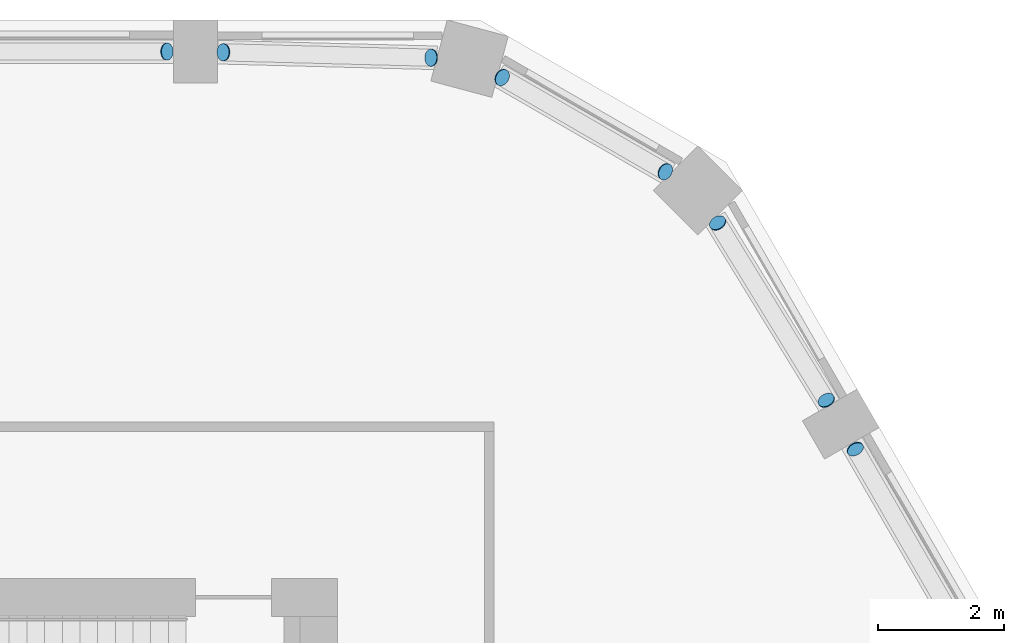
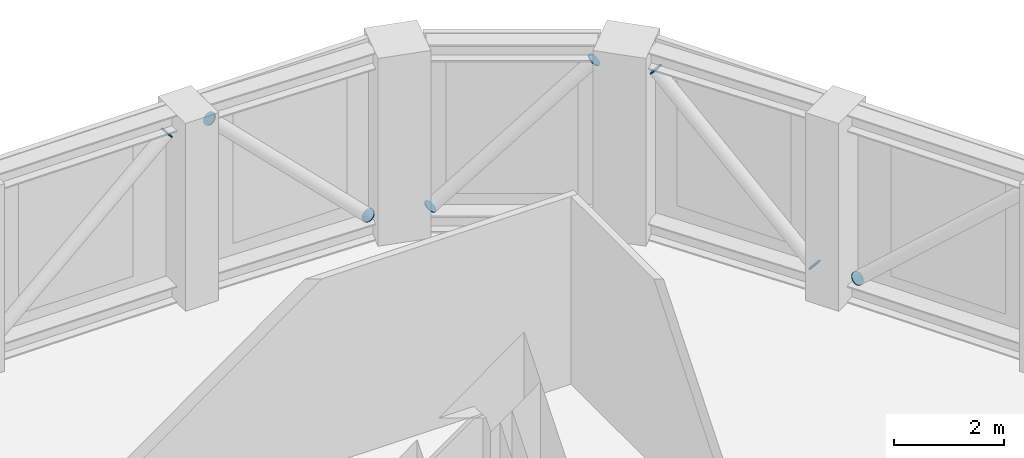
# One storey, part 13 of 14: 8 discrete accessories.
"""IFC4 building model written with IfcOpenShell, lengths in metres."""

from ifc_helpers import new_model, si_unit, direction, frame, origin, origin_2d, place, context, subcontext, project, spatial, circle, extrude, material, material_profile, profile_set, type_object, element, save


model = new_model("IFC4")

# Units and contexts
model_context = context("Model", 3, precision=1e-05, world=origin(), true_north=direction((0.0, 1.0)))
body_context = subcontext(model_context, "Body", "Model", "MODEL_VIEW")
ifc_project = project(units=[si_unit("LENGTHUNIT", "METRE"), si_unit("AREAUNIT", "SQUARE_METRE"), si_unit("VOLUMEUNIT", "CUBIC_METRE"), si_unit("PLANEANGLEUNIT", "RADIAN"), si_unit("MASSUNIT", "GRAM", prefix="KILO")], contexts=[model_context])

# Site, building, storey
site_placement = place(None, origin())
site = spatial("IfcSite", under=ifc_project, at=site_placement, CompositionType="ELEMENT")
building_placement = place(site_placement, origin())
building = spatial("IfcBuilding", under=site, at=building_placement, Name="Dhurran Vertical Campus", CompositionType="ELEMENT")
storey_placement = place(building_placement, frame((0.0, 0.0, 282.0)))
storey = spatial("IfcBuildingStorey", under=building, at=storey_placement, Name="L70 Plant", CompositionType="ELEMENT", Elevation=282.0)

# Discrete accessories
ifc_material = material(Name="Steel S355J2", Category="steel")
ifc_material_profile = material_profile(ifc_material, circle(Radius=0.136474609375, at=origin_2d()), Name="Tube end cap 273 x 20")
ifc_profile_set = profile_set([ifc_material_profile], Name="Steel S355J2")
discrete_accessory_type = type_object("IfcDiscreteAccessoryType", Name="Tube end cap 273 x 20", PredefinedType="USERDEFINED", material=ifc_profile_set)
for number, where, z_axis, x_axis, name in (
    (1, (21.6953125, 13.291015625, 0.473388671875), (-0.376068504711, 0.642955830635, -0.66721831481), (-0.863187603129, -0.504883315038, 0.0), "EC1 belt L70 d15 capA"),
    (2, (21.22998046875, 14.07373046875, 0.468994140625), (0.367911267232, -0.613185445387, -0.699031407741), (0.857492925713, 0.514495755428, 0.0), "EC1 belt L70 d16 capA"),
    (3, (19.518798828125, 16.867919921875, 3.705810546875), (-0.377992569235, 0.597472125565, 0.707211903729), (-0.845078836052, -0.534641712604, 0.0), "EC1 belt L70 d16 capB"),
    (4, (16.107177734375, 19.17529296875, 0.464111328125), (-0.584064364195, 0.328536204859, -0.742248462831), (-0.490261239633, -0.871575537125, 0.0), "EC1 belt L70 d17 capA"),
    (5, (18.677490234375, 17.691162109375, 3.7109375), (0.586939185653, -0.342381191631, 0.733673982067), (0.503871025524, 0.863778900898, 0.0), "EC1 belt L70 d17 capB"),
):
    element("IfcDiscreteAccessory", number, at=place(storey_placement, frame(where, z_axis=z_axis, x_axis=x_axis)), inside=storey, type_object=discrete_accessory_type, Name=name, ObjectType="END CAP", PredefinedType="USERDEFINED", context=body_context, shape_type="SweptSolid", body=[
        extrude(circle(Radius=0.136474609375, at=origin_2d()), origin(), (0.0, 0.0, 1.0), 0.02001953125),
    ])
discrete_accessory_1_placement = place(storey_placement, frame((14.9736328125, 19.491943359375, 0.468994140625), z_axis=(0.713174651018, -0.012296114673, -0.700878536345), x_axis=(0.017238817251, 0.999851400549, 0.0)))
element("IfcDiscreteAccessory", 6, at=discrete_accessory_1_placement, inside=storey, type_object=discrete_accessory_type, Name="EC1 belt L70 d18 capA", ObjectType="END CAP", PredefinedType="USERDEFINED", context=body_context, shape_type="SweptSolid", body=[
    extrude(circle(Radius=0.136474609375, at=origin_2d()), origin(), (0.0, 0.0, 1.0), 0.019775390625),
])
discrete_accessory_2_placement = place(storey_placement, frame((11.6982421875, 19.576904296875, 3.705810546875), z_axis=(-0.707054237491, 0.012190590302, 0.707054237491), x_axis=(-0.017238817251, -0.999851400549, 0.0)))
element("IfcDiscreteAccessory", 7, at=discrete_accessory_2_placement, inside=storey, type_object=discrete_accessory_type, Name="EC1 belt L70 d18 capB", ObjectType="END CAP", PredefinedType="USERDEFINED", context=body_context, shape_type="SweptSolid", body=[
    extrude(circle(Radius=0.136474609375, at=origin_2d()), origin(), (0.0, 0.0, 1.0), 0.02001953125),
])
discrete_accessory_3_placement = place(storey_placement, frame((10.787841796875, 19.58837890625, 3.70166015625), z_axis=(0.737154140201, 0.0, 0.675724628517), x_axis=(0.0, 1.0, 0.0)))
element("IfcDiscreteAccessory", 8, at=discrete_accessory_3_placement, inside=storey, type_object=discrete_accessory_type, Name="EC1 belt L70 d19 capB", ObjectType="END CAP", PredefinedType="USERDEFINED", context=body_context, shape_type="SweptSolid", body=[
    extrude(circle(Radius=0.136474609375, at=origin_2d()), origin(), (0.0, 0.0, 1.0), 0.019775390625),
])

save(model, "model.ifc")
